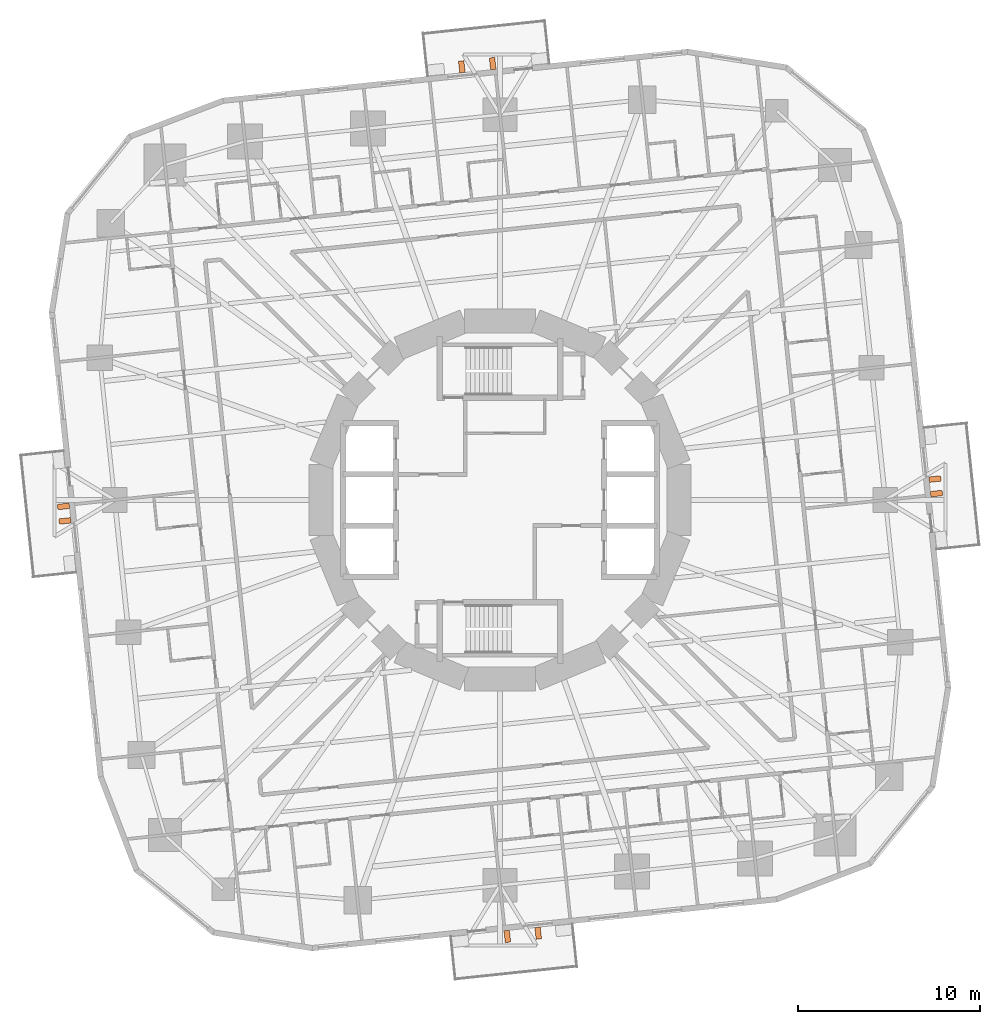
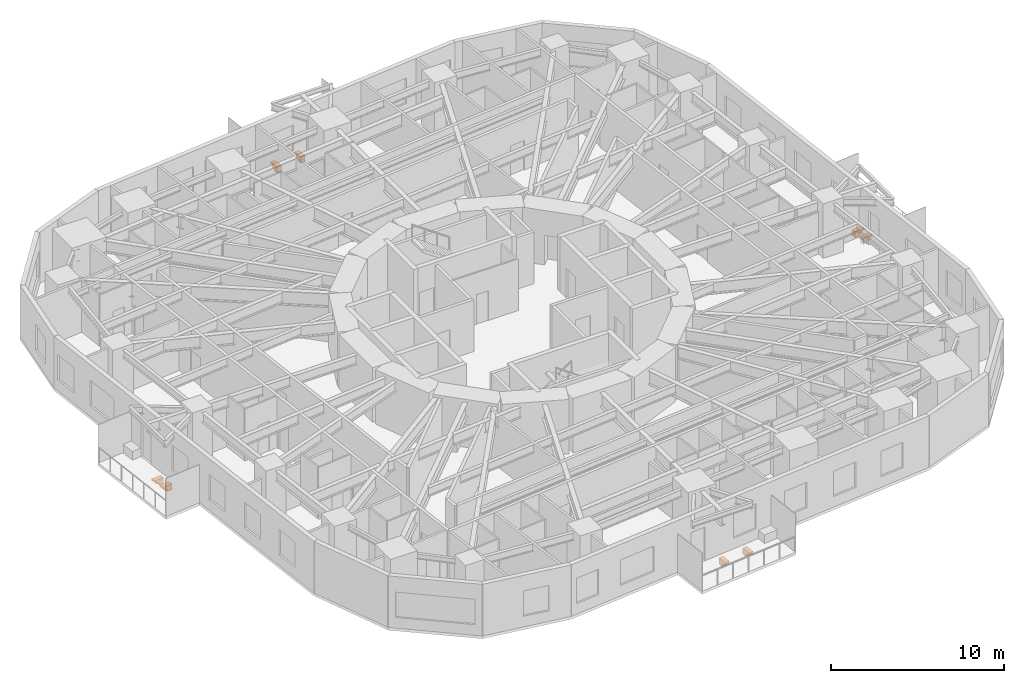
# One storey, part 13 of 13: 8 proxies.
"""IFC4 building model written with IfcOpenShell, lengths in metres."""

from ifc_helpers import new_model, si_unit, direction, frame, origin, place, context, subcontext, project, spatial, polyline, outline, extrude, material, type_object, element, save


model = new_model("IFC4")

# Units and contexts
model_context = context("Model", 3, precision=1e-05, world=origin(), true_north=direction((0.0, 1.0)))
body_context = subcontext(model_context, "Body", "Model", "MODEL_VIEW")
ifc_project = project(units=[si_unit("LENGTHUNIT", "METRE"), si_unit("AREAUNIT", "SQUARE_METRE"), si_unit("VOLUMEUNIT", "CUBIC_METRE"), si_unit("PLANEANGLEUNIT", "RADIAN"), si_unit("MASSUNIT", "GRAM", prefix="KILO")], contexts=[model_context])

# Site, building, storey
site_placement = place(None, origin())
site = spatial("IfcSite", under=ifc_project, at=site_placement, CompositionType="ELEMENT")
building_placement = place(site_placement, origin())
building = spatial("IfcBuilding", under=site, at=building_placement, Name="Nakasero Lantern House", CompositionType="ELEMENT")
storey_placement = place(building_placement, frame((0.0, 0.0, 83.60009765625)))
storey = spatial("IfcBuildingStorey", under=building, at=storey_placement, Name="L20", CompositionType="ELEMENT", Elevation=83.60009765625)

# Proxies
ifc_material = material(Name="Concrete C40/50 precast", Category="concrete")
building_element_proxy_type = type_object("IfcBuildingElementProxyType", Name="Balcony bracket 300", PredefinedType="USERDEFINED", material=ifc_material)
for number, where, z_axis, x_axis, name in (
    (1, (23.595947265625, 0.318115234375, -0.2001953125), (0.0, 0.0, 1.0), (0.994521895, 0.104528463, 0.0), "Balcony bracket L20 0A"),
    (2, (23.512451171875, 1.11376953125, -0.2001953125), (0.0, 0.0, 1.0), (0.994521895, 0.104528463, 0.0), "Balcony bracket L20 0B"),
    (3, (-0.367919921875, 23.5908203125, -0.2001953125), (0.0, 0.0, 1.0), (-0.104528463, 0.994521895, 0.0), "Balcony bracket L20 1A"),
    (4, (-2.05859375, 23.4130859375, -0.2001953125), (0.0, 0.0, 1.0), (-0.104528463, 0.994521895, 0.0), "Balcony bracket L20 1B"),
    (5, (-23.595947265625, -0.318115234375, -0.2001953125), (0.0, 0.0, 1.0), (-0.994521895, -0.104528463, 0.0), "Balcony bracket L20 2A"),
    (6, (-23.512451171875, -1.11376953125, -0.2001953125), (0.0, 0.0, 1.0), (-0.994521895, -0.104528463, 0.0), "Balcony bracket L20 2B"),
    (7, (0.367919921875, -23.5908203125, -0.2001953125), (0.0, 0.0, 1.0), (0.104528463, -0.994521895, 0.0), "Balcony bracket L20 3A"),
    (8, (2.05859375, -23.4130859375, -0.2001953125), (0.0, 0.0, 1.0), (0.104528463, -0.994521895, 0.0), "Balcony bracket L20 3B"),
):
    element("IfcBuildingElementProxy", number, at=place(storey_placement, frame(where, z_axis=z_axis, x_axis=x_axis)), inside=storey, type_object=building_element_proxy_type, Name=name, ObjectType="BALCONY BRACKET", PredefinedType="USERDEFINED", context=body_context, shape_type="SweptSolid", body=[
        extrude(outline(polyline([(0.0, 0.0), (0.64990234375, 0.0), (0.64990234375, -0.1201171875), (0.5, -0.1201171875), (0.5, -0.280029296875), (0.300048828125, -0.280029296875), (0.300048828125, -0.43994140625), (0.0, -0.43994140625), (0.0, 0.0)])), frame((0.0, 0.14990234375, 0.0), z_axis=(0.0, -1.0, 0.0), x_axis=(1.0, 0.0, 0.0)), (0.0, 0.0, 1.0), 0.300048828125),
    ])

save(model, "model.ifc")
